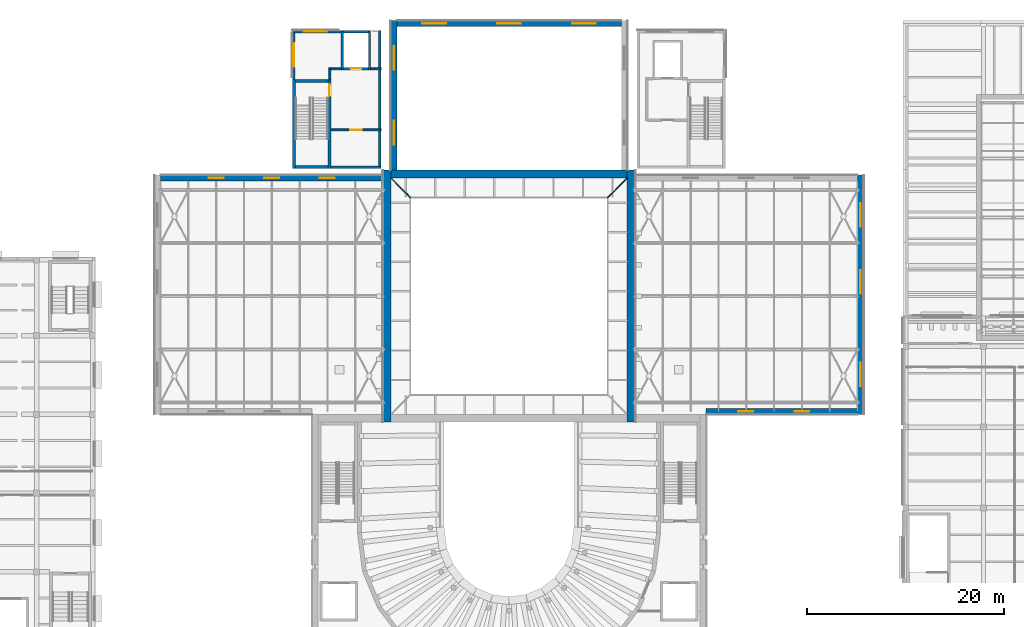
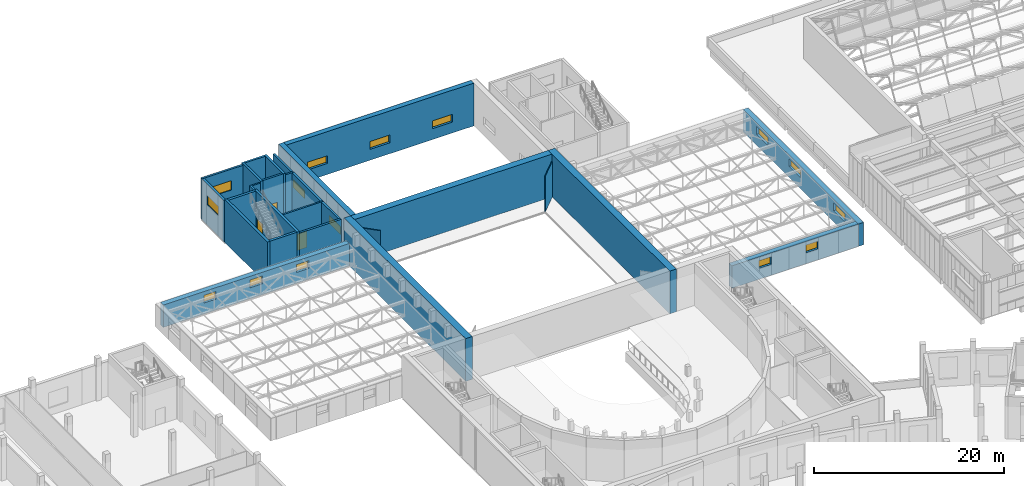
# One storey, part 77 of 132: 28 walls, 15 windows, 3 doors, 18 openings.
"""IFC4 building model written with IfcOpenShell, lengths in metres."""

from ifc_helpers import new_model, si_unit, direction, frame, frame_2d, origin, place, context, subcontext, project, spatial, rectangle, extrude, material, layer, layer_set, type_object, element, fill, save


model = new_model("IFC4")

# Units and contexts
model_context = context("Model", 3, precision=1e-05, world=origin(), true_north=direction((0.0, 1.0)))
body_context = subcontext(model_context, "Body", "Model", "MODEL_VIEW")
ifc_project = project(units=[si_unit("LENGTHUNIT", "METRE"), si_unit("AREAUNIT", "SQUARE_METRE"), si_unit("VOLUMEUNIT", "CUBIC_METRE"), si_unit("PLANEANGLEUNIT", "RADIAN"), si_unit("MASSUNIT", "GRAM", prefix="KILO")], contexts=[model_context])

# Site, building, storey
site_placement = place(None, origin())
site = spatial("IfcSite", under=ifc_project, at=site_placement, CompositionType="ELEMENT")
building_placement = place(site_placement, origin())
building = spatial("IfcBuilding", under=site, at=building_placement, Name="Lunette Opera House", CompositionType="ELEMENT")
storey_placement = place(building_placement, frame((0.0, 0.0, 17.0)))
storey = spatial("IfcBuildingStorey", under=building, at=storey_placement, Name="L03", CompositionType="ELEMENT", Elevation=17.0)

# Walls
ifc_material_1 = material(Name="Concrete C35/45", Category="concrete")
ifc_layer_1 = layer(ifc_material_1, 0.199951171875)
ifc_layer_set_1 = layer_set([ifc_layer_1], Name="Concrete C35/45")
wall_type_1 = type_object("IfcWallType", Name="LOBBY WALL 200", PredefinedType="PARTITIONING", material=ifc_layer_set_1)
for number, where, z_axis, x_axis, name in (
    (1, (83.0, 131.10009765625, 0.0), (0.0, 0.0, 1.0), (-1.0, 0.0, 0.0), "LL-SW lobby wall 2a"),
    (2, (78.929931640625, 131.10009765625, 0.0), (0.0, 0.0, 1.0), (-1.0, 0.0, 0.0), "LL-SW lobby wall 2b"),
):
    element("IfcWall", number, at=place(storey_placement, frame(where, z_axis=z_axis, x_axis=x_axis)), inside=storey, type_object=wall_type_1, Name=name, PredefinedType="PARTITIONING", context=body_context, shape_type="SweptSolid", body=[
        extrude(rectangle(XDim=1.030029296875, YDim=0.199951171875, at=frame_2d((0.51513671875, 0.0))), origin(), (0.0, 0.0, 1.0), 5.280029296875),
    ])
wall_1_placement = place(storey_placement, frame((77.800048828125, 131.199951171875, 0.0), z_axis=(0.0, 0.0, 1.0), x_axis=(0.0, -1.0, 0.0)))
element("IfcWall", 3, at=wall_1_placement, inside=storey, type_object=wall_type_1, Name="LL-SW lobby wall 3a", PredefinedType="PARTITIONING", context=body_context, shape_type="SweptSolid", body=[
    extrude(rectangle(XDim=1.2099609375, YDim=0.199951171875, at=frame_2d((0.60498046875, 0.0))), origin(), (0.0, 0.0, 1.0), 5.280029296875),
])

# Wall, opening, door
wall_2_placement = place(storey_placement, frame((77.919921875, 124.89990234375, 0.0), z_axis=(0.0, 0.0, 1.0), x_axis=(1.0, 0.0, 0.0)))
wall_2 = element("IfcWall", 4, at=wall_2_placement, inside=storey, type_object=wall_type_1, Name="LL-SW lobby wall 4a", PredefinedType="PARTITIONING", context=body_context, shape_type="SweptSolid", body=[
    extrude(rectangle(XDim=5.080078125, YDim=0.199951171875, at=frame_2d((2.5400390625, 0.0))), origin(), (0.0, 0.0, 1.0), 5.280029296875),
])
opening_1_placement = place(wall_2_placement, frame((1.93994140625, 0.0, 0.0)))
opening_1 = element("IfcOpeningElement", 5, at=opening_1_placement, cuts=wall_2, Name="Opening ST-D7037", PredefinedType="OPENING", context=body_context, shape_type="SweptSolid", body=[
    extrude(rectangle(XDim=1.199951171875, YDim=2.10009765625, at=frame_2d((0.60009765625, 1.050048828125))), frame((0.0, 0.112060546875, 0.0), z_axis=(0.0, -1.0, 0.0), x_axis=(1.0, 0.0, 0.0)), (0.0, 0.0, 1.0), 0.223876953125),
])
ifc_material_2 = material(Name="Steel", Category="steel")
door_type_1 = type_object("IfcDoorType", Name="FIRE DOOR 1200 X 2100", OperationType="SINGLE_SWING_LEFT", PredefinedType="DOOR", material=ifc_material_2)
door_1_placement = place(opening_1_placement, origin())
door_1 = element("IfcDoor", 6, at=door_1_placement, inside=storey, type_object=door_type_1, Name="LL-SW lobby door", OperationType="SINGLE_SWING_LEFT", OverallHeight=2.10009765625, OverallWidth=1.199951171875, PredefinedType="DOOR", context=body_context, shape_type="SweptSolid", body=[
    extrude(rectangle(XDim=1.199951171875, YDim=2.10009765625, at=frame_2d((0.60009765625, 1.050048828125))), frame((0.0, 0.02490234375, 0.0), z_axis=(0.0, -1.0, 0.0), x_axis=(1.0, 0.0, 0.0)), (0.0, 0.0, 1.0), 0.050048828125),
])
fill(opening_1, door_1)

# Walls
ifc_material_3 = material(Name="Concrete C35/45", Category="concrete")
ifc_layer_2 = layer(ifc_material_3, 0.25)
ifc_layer_set_2 = layer_set([ifc_layer_2], Name="Concrete C35/45")
wall_type_2 = type_object("IfcWallType", Name="RC LIFT SHAFT WALL 250", PredefinedType="SOLIDWALL", material=ifc_layer_set_2)
wall_3_placement = place(storey_placement, frame((81.824951171875, 131.0, 0.0), z_axis=(0.0, 0.0, 1.0), x_axis=(0.0, 1.0, 0.0)))
element("IfcWall", 7, at=wall_3_placement, inside=storey, type_object=wall_type_2, Name="LF7 shaft wall 1", PredefinedType="SOLIDWALL", context=body_context, shape_type="SweptSolid", body=[
    extrude(rectangle(XDim=4.0, YDim=0.25, at=frame_2d((2.0, 0.0))), origin(), (0.0, 0.0, 1.0), 5.5),
])
wall_4_placement = place(storey_placement, frame((81.699951171875, 134.875, 0.0), z_axis=(0.0, 0.0, 1.0), x_axis=(-1.0, 0.0, 0.0)))
element("IfcWall", 8, at=wall_4_placement, inside=storey, type_object=wall_type_2, Name="LF7 shaft wall 2", PredefinedType="SOLIDWALL", context=body_context, shape_type="SweptSolid", body=[
    extrude(rectangle(XDim=2.5, YDim=0.25, at=frame_2d((1.25, 0.0))), origin(), (0.0, 0.0, 1.0), 5.5),
])
wall_5_placement = place(storey_placement, frame((79.074951171875, 135.0, 0.0), z_axis=(0.0, 0.0, 1.0), x_axis=(0.0, -1.0, 0.0)))
element("IfcWall", 9, at=wall_5_placement, inside=storey, type_object=wall_type_2, Name="LF7 shaft wall 3", PredefinedType="SOLIDWALL", context=body_context, shape_type="SweptSolid", body=[
    extrude(rectangle(XDim=4.0, YDim=0.25, at=frame_2d((2.0, 0.0))), origin(), (0.0, 0.0, 1.0), 5.5),
])

# Wall, opening, door
wall_6_placement = place(storey_placement, frame((79.199951171875, 131.125, 0.0), z_axis=(0.0, 0.0, 1.0), x_axis=(1.0, 0.0, 0.0)))
wall_6 = element("IfcWall", 10, at=wall_6_placement, inside=storey, type_object=wall_type_2, Name="LF7 shaft wall 4", PredefinedType="SOLIDWALL", context=body_context, shape_type="SweptSolid", body=[
    extrude(rectangle(XDim=2.5, YDim=0.25, at=frame_2d((1.25, 0.0))), origin(), (0.0, 0.0, 1.0), 5.5),
])
opening_2_placement = place(wall_6_placement, frame((0.699951171875, 0.0, 0.0)))
opening_2 = element("IfcOpeningElement", 11, at=opening_2_placement, cuts=wall_6, Name="Opening ST-LD015", PredefinedType="OPENING", context=body_context, shape_type="SweptSolid", body=[
    extrude(rectangle(XDim=1.10009765625, YDim=2.10009765625, at=frame_2d((0.550048828125, 1.050048828125))), frame((0.0, 0.136962890625, 0.0), z_axis=(0.0, -1.0, 0.0), x_axis=(1.0, 0.0, 0.0)), (0.0, 0.0, 1.0), 0.27392578125),
])
ifc_material_4 = material(Name="Stainless steel", Category="steel")
door_type_2 = type_object("IfcDoorType", Name="LIFT LANDING DOOR 1100 X 2100", OperationType="DOUBLE_DOOR_SLIDING", PredefinedType="DOOR", material=ifc_material_4)
door_2_placement = place(opening_2_placement, origin())
door_2 = element("IfcDoor", 12, at=door_2_placement, inside=storey, type_object=door_type_2, Name="LF7 lift landing door", OperationType="DOUBLE_DOOR_SLIDING", OverallHeight=2.10009765625, OverallWidth=1.10009765625, PredefinedType="DOOR", context=body_context, shape_type="SweptSolid", body=[
    extrude(rectangle(XDim=1.10009765625, YDim=2.10009765625, at=frame_2d((0.550048828125, 1.050048828125))), frame((0.0, 0.02490234375, 0.0), z_axis=(0.0, -1.0, 0.0), x_axis=(1.0, 0.0, 0.0)), (0.0, 0.0, 1.0), 0.050048828125),
])
fill(opening_2, door_2)

ifc_material_5 = material(Name="Concrete C35/45", Category="concrete")
ifc_layer_3 = layer(ifc_material_5, 0.300048828125)
ifc_layer_set_3 = layer_set([ifc_layer_3], Name="Concrete C35/45")
wall_type_3 = type_object("IfcWallType", Name="RC STAIR ENCLOSURE WALL 300", PredefinedType="SOLIDWALL", material=ifc_layer_set_3)
wall_7_placement = place(storey_placement, frame((77.75, 121.0, 0.0), z_axis=(0.0, 0.0, 1.0), x_axis=(0.0, 1.0, 0.0)))
wall_7 = element("IfcWall", 13, at=wall_7_placement, inside=storey, type_object=wall_type_3, Name="ST11 enclosure wall 1", PredefinedType="SOLIDWALL", context=body_context, shape_type="SweptSolid", body=[
    extrude(rectangle(XDim=9.0, YDim=0.300048828125, at=frame_2d((4.5, 0.0))), origin(), (0.0, 0.0, 1.0), 5.5),
])
opening_3_placement = place(wall_7_placement, frame((7.324951171875, 0.0, 0.0)))
opening_3 = element("IfcOpeningElement", 14, at=opening_3_placement, cuts=wall_7, Name="Opening ST-D7006", PredefinedType="OPENING", context=body_context, shape_type="SweptSolid", body=[
    extrude(rectangle(XDim=1.199951171875, YDim=2.10009765625, at=frame_2d((0.60009765625, 1.050048828125))), frame((0.0, 0.162109375, 0.0), z_axis=(0.0, -1.0, 0.0), x_axis=(1.0, 0.0, 0.0)), (0.0, 0.0, 1.0), 0.323974609375),
])
door_3_placement = place(opening_3_placement, origin())
door_3 = element("IfcDoor", 15, at=door_3_placement, inside=storey, type_object=door_type_1, Name="ST11 stair door", OperationType="SINGLE_SWING_LEFT", OverallHeight=2.10009765625, OverallWidth=1.199951171875, PredefinedType="DOOR", context=body_context, shape_type="SweptSolid", body=[
    extrude(rectangle(XDim=1.199951171875, YDim=2.10009765625, at=frame_2d((0.60009765625, 1.050048828125))), frame((0.0, 0.02490234375, 0.0), z_axis=(0.0, -1.0, 0.0), x_axis=(1.0, 0.0, 0.0)), (0.0, 0.0, 1.0), 0.050048828125),
])
fill(opening_3, door_3)

# Walls
wall_8_placement = place(storey_placement, frame((77.60009765625, 129.85009765625, 0.0), z_axis=(0.0, 0.0, 1.0), x_axis=(-1.0, 0.0, 0.0)))
element("IfcWall", 16, at=wall_8_placement, inside=storey, type_object=wall_type_3, Name="ST11 enclosure wall 2", PredefinedType="SOLIDWALL", context=body_context, shape_type="SweptSolid", body=[
    extrude(rectangle(XDim=3.300048828125, YDim=0.300048828125, at=frame_2d((1.64990234375, 0.0))), origin(), (0.0, 0.0, 1.0), 5.5),
])
wall_9_placement = place(storey_placement, frame((74.14990234375, 130.0, 0.0), z_axis=(0.0, 0.0, 1.0), x_axis=(0.0, -1.0, 0.0)))
element("IfcWall", 17, at=wall_9_placement, inside=storey, type_object=wall_type_3, Name="ST11 enclosure wall 3", PredefinedType="SOLIDWALL", context=body_context, shape_type="SweptSolid", body=[
    extrude(rectangle(XDim=9.0, YDim=0.300048828125, at=frame_2d((4.5, 0.0))), origin(), (0.0, 0.0, 1.0), 5.5),
])
wall_10_placement = place(storey_placement, frame((74.300048828125, 121.14990234375, 0.0), z_axis=(0.0, 0.0, 1.0), x_axis=(1.0, 0.0, 0.0)))
element("IfcWall", 18, at=wall_10_placement, inside=storey, type_object=wall_type_3, Name="ST11 enclosure wall 4", PredefinedType="SOLIDWALL", context=body_context, shape_type="SweptSolid", body=[
    extrude(rectangle(XDim=3.300048828125, YDim=0.300048828125, at=frame_2d((1.64990234375, 0.0))), origin(), (0.0, 0.0, 1.0), 5.5),
])

# Wall, openings, windows
ifc_material_6 = material(Name="Concrete C35/45", Category="concrete")
ifc_layer_4 = layer(ifc_material_6, 0.60009765625)
ifc_layer_set_4 = layer_set([ifc_layer_4], Name="Concrete C35/45")
wall_type_4 = type_object("IfcWallType", Name="RC WALL 600", PredefinedType="SHEAR", material=ifc_layer_set_4)
wall_11_placement = place(storey_placement, frame((60.60009765625, 120.0, 0.0), z_axis=(0.0, 0.0, 1.0), x_axis=(1.0, 0.0, 0.0)))
wall_11 = element("IfcWall", 19, at=wall_11_placement, inside=storey, type_object=wall_type_4, Name="wall-ST-L03-SW-N-1", PredefinedType="SHEAR", context=body_context, shape_type="SweptSolid", body=[
    extrude(rectangle(XDim=22.599853515625, YDim=0.60009765625, at=frame_2d((11.2998046875, 0.0))), origin(), (0.0, 0.0, 1.0), 2.8798828125),
])
opening_4_placement = place(wall_11_placement, frame((4.9169921875, 0.0, 1.39990234375)))
opening_4 = element("IfcOpeningElement", 20, at=opening_4_placement, cuts=wall_11, Name="Opening ST-N2090", PredefinedType="OPENING", context=body_context, shape_type="SweptSolid", body=[
    extrude(rectangle(XDim=1.5, YDim=1.0, at=frame_2d((0.75, 0.5))), frame((0.0, 0.31201171875, 0.0), z_axis=(0.0, -1.0, 0.0), x_axis=(1.0, 0.0, 0.0)), (0.0, 0.0, 1.0), 0.6240234375),
])
opening_5_placement = place(wall_11_placement, frame((10.550048828125, 0.0, 1.39990234375)))
opening_5 = element("IfcOpeningElement", 21, at=opening_5_placement, cuts=wall_11, Name="Opening ST-N2091", PredefinedType="OPENING", context=body_context, shape_type="SweptSolid", body=[
    extrude(rectangle(XDim=1.5, YDim=1.0, at=frame_2d((0.75, 0.5))), frame((0.0, 0.31201171875, 0.0), z_axis=(0.0, -1.0, 0.0), x_axis=(1.0, 0.0, 0.0)), (0.0, 0.0, 1.0), 0.6240234375),
])
opening_6_placement = place(wall_11_placement, frame((16.18310546875, 0.0, 1.39990234375)))
opening_6 = element("IfcOpeningElement", 22, at=opening_6_placement, cuts=wall_11, Name="Opening ST-N2092", PredefinedType="OPENING", context=body_context, shape_type="SweptSolid", body=[
    extrude(rectangle(XDim=1.5, YDim=1.0, at=frame_2d((0.75, 0.5))), frame((0.0, 0.31201171875, 0.0), z_axis=(0.0, -1.0, 0.0), x_axis=(1.0, 0.0, 0.0)), (0.0, 0.0, 1.0), 0.6240234375),
])
ifc_material_7 = material(Name="Aluminium", Category="aluminium")
window_type_1 = type_object("IfcWindowType", Name="STAGE CLERESTORY WINDOW 1500 X 1000", PartitioningType="SINGLE_PANEL", PredefinedType="WINDOW", material=ifc_material_7)
window_1_placement = place(opening_4_placement, origin())
window_1 = element("IfcWindow", 23, at=window_1_placement, inside=storey, type_object=window_type_1, Name="Stage Clerestory Window 1500 X 1000 SW-N1 L03", OverallHeight=1.0, OverallWidth=1.5, PartitioningType="SINGLE_PANEL", PredefinedType="WINDOW", context=body_context, shape_type="SweptSolid", body=[
    extrude(rectangle(XDim=1.5, YDim=1.0, at=frame_2d((0.75, 0.5))), frame((0.0, 0.030029296875, 0.0), z_axis=(0.0, -1.0, 0.0), x_axis=(1.0, 0.0, 0.0)), (0.0, 0.0, 1.0), 0.06005859375),
])
fill(opening_4, window_1)
window_2_placement = place(opening_5_placement, origin())
window_2 = element("IfcWindow", 24, at=window_2_placement, inside=storey, type_object=window_type_1, Name="Stage Clerestory Window 1500 X 1000 SW-N2 L03", OverallHeight=1.0, OverallWidth=1.5, PartitioningType="SINGLE_PANEL", PredefinedType="WINDOW", context=body_context, shape_type="SweptSolid", body=[
    extrude(rectangle(XDim=1.5, YDim=1.0, at=frame_2d((0.75, 0.5))), frame((0.0, 0.030029296875, 0.0), z_axis=(0.0, -1.0, 0.0), x_axis=(1.0, 0.0, 0.0)), (0.0, 0.0, 1.0), 0.06005859375),
])
fill(opening_5, window_2)
window_3_placement = place(opening_6_placement, origin())
window_3 = element("IfcWindow", 25, at=window_3_placement, inside=storey, type_object=window_type_1, Name="Stage Clerestory Window 1500 X 1000 SW-N3 L03", OverallHeight=1.0, OverallWidth=1.5, PartitioningType="SINGLE_PANEL", PredefinedType="WINDOW", context=body_context, shape_type="SweptSolid", body=[
    extrude(rectangle(XDim=1.5, YDim=1.0, at=frame_2d((0.75, 0.5))), frame((0.0, 0.030029296875, 0.0), z_axis=(0.0, -1.0, 0.0), x_axis=(1.0, 0.0, 0.0)), (0.0, 0.0, 1.0), 0.06005859375),
])
fill(opening_6, window_3)

wall_12_placement = place(storey_placement, frame((131.699951171875, 96.0, 0.0), z_axis=(0.0, 0.0, 1.0), x_axis=(0.0, 1.0, 0.0)))
wall_12 = element("IfcWall", 26, at=wall_12_placement, inside=storey, type_object=wall_type_4, Name="wall-ST-L03-SE-E-1", PredefinedType="SHEAR", context=body_context, shape_type="SweptSolid", body=[
    extrude(rectangle(XDim=24.300048828125, YDim=0.60009765625, at=frame_2d((12.14990234375, 0.0))), origin(), (0.0, 0.0, 1.0), 2.8798828125),
])
opening_7_placement = place(wall_12_placement, frame((2.85009765625, 0.0, 1.39990234375)))
opening_7 = element("IfcOpeningElement", 27, at=opening_7_placement, cuts=wall_12, Name="Opening ST-N2100", PredefinedType="OPENING", context=body_context, shape_type="SweptSolid", body=[
    extrude(rectangle(XDim=2.39990234375, YDim=1.0, at=frame_2d((1.199951171875, 0.5))), frame((0.0, 0.31201171875, 0.0), z_axis=(0.0, -1.0, 0.0), x_axis=(1.0, 0.0, 0.0)), (0.0, 0.0, 1.0), 0.6240234375),
])
opening_8_placement = place(wall_12_placement, frame((12.25, 0.0, 1.39990234375)))
opening_8 = element("IfcOpeningElement", 28, at=opening_8_placement, cuts=wall_12, Name="Opening ST-N2101", PredefinedType="OPENING", context=body_context, shape_type="SweptSolid", body=[
    extrude(rectangle(XDim=2.39990234375, YDim=1.0, at=frame_2d((1.199951171875, 0.5))), frame((0.0, 0.31201171875, 0.0), z_axis=(0.0, -1.0, 0.0), x_axis=(1.0, 0.0, 0.0)), (0.0, 0.0, 1.0), 0.6240234375),
])
opening_9_placement = place(wall_12_placement, frame((19.050048828125, 0.0, 1.39990234375)))
opening_9 = element("IfcOpeningElement", 29, at=opening_9_placement, cuts=wall_12, Name="Opening ST-N2102", PredefinedType="OPENING", context=body_context, shape_type="SweptSolid", body=[
    extrude(rectangle(XDim=2.39990234375, YDim=1.0, at=frame_2d((1.199951171875, 0.5))), frame((0.0, 0.31201171875, 0.0), z_axis=(0.0, -1.0, 0.0), x_axis=(1.0, 0.0, 0.0)), (0.0, 0.0, 1.0), 0.6240234375),
])
ifc_material_8 = material(Name="Aluminium", Category="aluminium")
window_type_2 = type_object("IfcWindowType", Name="STAGE CLERESTORY WINDOW 2400 X 1000", PartitioningType="SINGLE_PANEL", PredefinedType="WINDOW", material=ifc_material_8)
window_4_placement = place(opening_7_placement, origin())
window_4 = element("IfcWindow", 30, at=window_4_placement, inside=storey, type_object=window_type_2, Name="Stage Clerestory Window 2400 X 1000 SE-E1 L03", OverallHeight=1.0, OverallWidth=2.39990234375, PartitioningType="SINGLE_PANEL", PredefinedType="WINDOW", context=body_context, shape_type="SweptSolid", body=[
    extrude(rectangle(XDim=2.39990234375, YDim=1.0, at=frame_2d((1.199951171875, 0.5))), frame((0.0, 0.030029296875, 0.0), z_axis=(0.0, -1.0, 0.0), x_axis=(1.0, 0.0, 0.0)), (0.0, 0.0, 1.0), 0.06005859375),
])
fill(opening_7, window_4)
window_5_placement = place(opening_8_placement, origin())
window_5 = element("IfcWindow", 31, at=window_5_placement, inside=storey, type_object=window_type_2, Name="Stage Clerestory Window 2400 X 1000 SE-E2 L03", OverallHeight=1.0, OverallWidth=2.39990234375, PartitioningType="SINGLE_PANEL", PredefinedType="WINDOW", context=body_context, shape_type="SweptSolid", body=[
    extrude(rectangle(XDim=2.39990234375, YDim=1.0, at=frame_2d((1.199951171875, 0.5))), frame((0.0, 0.030029296875, 0.0), z_axis=(0.0, -1.0, 0.0), x_axis=(1.0, 0.0, 0.0)), (0.0, 0.0, 1.0), 0.06005859375),
])
fill(opening_8, window_5)
window_6_placement = place(opening_9_placement, origin())
window_6 = element("IfcWindow", 32, at=window_6_placement, inside=storey, type_object=window_type_2, Name="Stage Clerestory Window 2400 X 1000 SE-E3 L03", OverallHeight=1.0, OverallWidth=2.39990234375, PartitioningType="SINGLE_PANEL", PredefinedType="WINDOW", context=body_context, shape_type="SweptSolid", body=[
    extrude(rectangle(XDim=2.39990234375, YDim=1.0, at=frame_2d((1.199951171875, 0.5))), frame((0.0, 0.030029296875, 0.0), z_axis=(0.0, -1.0, 0.0), x_axis=(1.0, 0.0, 0.0)), (0.0, 0.0, 1.0), 0.06005859375),
])
fill(opening_9, window_6)

wall_13_placement = place(storey_placement, frame((116.010009765625, 96.300048828125, 0.0), z_axis=(0.0, 0.0, 1.0), x_axis=(1.0, 0.0, 0.0)))
wall_13 = element("IfcWall", 33, at=wall_13_placement, inside=storey, type_object=wall_type_4, Name="wall-ST-L03-SE-S-1", PredefinedType="SHEAR", context=body_context, shape_type="SweptSolid", body=[
    extrude(rectangle(XDim=15.389892578125, YDim=0.60009765625, at=frame_2d((7.69482421875, 0.0))), origin(), (0.0, 0.0, 1.0), 2.8798828125),
])
opening_10_placement = place(wall_13_placement, frame((3.298095703125, 0.0, 1.39990234375)))
opening_10 = element("IfcOpeningElement", 34, at=opening_10_placement, cuts=wall_13, Name="Opening ST-N2111", PredefinedType="OPENING", context=body_context, shape_type="SweptSolid", body=[
    extrude(rectangle(XDim=1.5, YDim=1.0, at=frame_2d((0.75, 0.5))), frame((0.0, 0.31201171875, 0.0), z_axis=(0.0, -1.0, 0.0), x_axis=(1.0, 0.0, 0.0)), (0.0, 0.0, 1.0), 0.6240234375),
])
opening_11_placement = place(wall_13_placement, frame((8.991943359375, 0.0, 1.39990234375)))
opening_11 = element("IfcOpeningElement", 35, at=opening_11_placement, cuts=wall_13, Name="Opening ST-N2112", PredefinedType="OPENING", context=body_context, shape_type="SweptSolid", body=[
    extrude(rectangle(XDim=1.5, YDim=1.0, at=frame_2d((0.75, 0.5))), frame((0.0, 0.31201171875, 0.0), z_axis=(0.0, -1.0, 0.0), x_axis=(1.0, 0.0, 0.0)), (0.0, 0.0, 1.0), 0.6240234375),
])
window_7_placement = place(opening_10_placement, origin())
window_7 = element("IfcWindow", 36, at=window_7_placement, inside=storey, type_object=window_type_1, Name="Stage Clerestory Window 1500 X 1000 SE-S1 L03", OverallHeight=1.0, OverallWidth=1.5, PartitioningType="SINGLE_PANEL", PredefinedType="WINDOW", context=body_context, shape_type="SweptSolid", body=[
    extrude(rectangle(XDim=1.5, YDim=1.0, at=frame_2d((0.75, 0.5))), frame((0.0, 0.030029296875, 0.0), z_axis=(0.0, -1.0, 0.0), x_axis=(1.0, 0.0, 0.0)), (0.0, 0.0, 1.0), 0.06005859375),
])
fill(opening_10, window_7)
window_8_placement = place(opening_11_placement, origin())
window_8 = element("IfcWindow", 37, at=window_8_placement, inside=storey, type_object=window_type_1, Name="Stage Clerestory Window 1500 X 1000 SE-S2 L03", OverallHeight=1.0, OverallWidth=1.5, PartitioningType="SINGLE_PANEL", PredefinedType="WINDOW", context=body_context, shape_type="SweptSolid", body=[
    extrude(rectangle(XDim=1.5, YDim=1.0, at=frame_2d((0.75, 0.5))), frame((0.0, 0.030029296875, 0.0), z_axis=(0.0, -1.0, 0.0), x_axis=(1.0, 0.0, 0.0)), (0.0, 0.0, 1.0), 0.06005859375),
])
fill(opening_11, window_8)

wall_14_placement = place(storey_placement, frame((84.300048828125, 120.800048828125, 0.0), z_axis=(0.0, 0.0, 1.0), x_axis=(0.0, 1.0, 0.0)))
wall_14 = element("IfcWall", 38, at=wall_14_placement, inside=storey, type_object=wall_type_4, Name="wall-ST-L03-SR-W-1", PredefinedType="SHEAR", context=body_context, shape_type="SweptSolid", body=[
    extrude(rectangle(XDim=15.199951171875, YDim=0.60009765625, at=frame_2d((7.60009765625, 0.0))), origin(), (0.0, 0.0, 1.0), 5.5),
])
opening_12_placement = place(wall_14_placement, frame((2.60009765625, 0.0, 1.39990234375)))
opening_12 = element("IfcOpeningElement", 39, at=opening_12_placement, cuts=wall_14, Name="Opening ST-N2115", PredefinedType="OPENING", context=body_context, shape_type="SweptSolid", body=[
    extrude(rectangle(XDim=2.39990234375, YDim=1.0, at=frame_2d((1.199951171875, 0.5))), frame((0.0, 0.31201171875, 0.0), z_axis=(0.0, -1.0, 0.0), x_axis=(1.0, 0.0, 0.0)), (0.0, 0.0, 1.0), 0.6240234375),
])
opening_13_placement = place(wall_14_placement, frame((10.199951171875, 0.0, 1.39990234375)))
opening_13 = element("IfcOpeningElement", 40, at=opening_13_placement, cuts=wall_14, Name="Opening ST-N2116", PredefinedType="OPENING", context=body_context, shape_type="SweptSolid", body=[
    extrude(rectangle(XDim=2.39990234375, YDim=1.0, at=frame_2d((1.199951171875, 0.5))), frame((0.0, 0.31201171875, 0.0), z_axis=(0.0, -1.0, 0.0), x_axis=(1.0, 0.0, 0.0)), (0.0, 0.0, 1.0), 0.6240234375),
])
window_9_placement = place(opening_12_placement, origin())
window_9 = element("IfcWindow", 41, at=window_9_placement, inside=storey, type_object=window_type_2, Name="Stage Clerestory Window 2400 X 1000 SR-W1 L03", OverallHeight=1.0, OverallWidth=2.39990234375, PartitioningType="SINGLE_PANEL", PredefinedType="WINDOW", context=body_context, shape_type="SweptSolid", body=[
    extrude(rectangle(XDim=2.39990234375, YDim=1.0, at=frame_2d((1.199951171875, 0.5))), frame((0.0, 0.030029296875, 0.0), z_axis=(0.0, -1.0, 0.0), x_axis=(1.0, 0.0, 0.0)), (0.0, 0.0, 1.0), 0.06005859375),
])
fill(opening_12, window_9)
window_10_placement = place(opening_13_placement, origin())
window_10 = element("IfcWindow", 42, at=window_10_placement, inside=storey, type_object=window_type_2, Name="Stage Clerestory Window 2400 X 1000 SR-W2 L03", OverallHeight=1.0, OverallWidth=2.39990234375, PartitioningType="SINGLE_PANEL", PredefinedType="WINDOW", context=body_context, shape_type="SweptSolid", body=[
    extrude(rectangle(XDim=2.39990234375, YDim=1.0, at=frame_2d((1.199951171875, 0.5))), frame((0.0, 0.030029296875, 0.0), z_axis=(0.0, -1.0, 0.0), x_axis=(1.0, 0.0, 0.0)), (0.0, 0.0, 1.0), 0.06005859375),
])
fill(opening_13, window_10)

wall_15_placement = place(storey_placement, frame((84.60009765625, 135.699951171875, 0.0), z_axis=(0.0, 0.0, 1.0), x_axis=(1.0, 0.0, 0.0)))
wall_15 = element("IfcWall", 43, at=wall_15_placement, inside=storey, type_object=wall_type_4, Name="wall-ST-L03-SR-N-1", PredefinedType="SHEAR", context=body_context, shape_type="SweptSolid", body=[
    extrude(rectangle(XDim=22.7998046875, YDim=0.60009765625, at=frame_2d((11.39990234375, 0.0))), origin(), (0.0, 0.0, 1.0), 5.5),
])
opening_14_placement = place(wall_15_placement, frame((2.60009765625, 0.0, 1.39990234375)))
opening_14 = element("IfcOpeningElement", 44, at=opening_14_placement, cuts=wall_15, Name="Opening ST-N2124", PredefinedType="OPENING", context=body_context, shape_type="SweptSolid", body=[
    extrude(rectangle(XDim=2.39990234375, YDim=1.0, at=frame_2d((1.199951171875, 0.5))), frame((0.0, 0.31201171875, 0.0), z_axis=(0.0, -1.0, 0.0), x_axis=(1.0, 0.0, 0.0)), (0.0, 0.0, 1.0), 0.6240234375),
])
opening_15_placement = place(wall_15_placement, frame((10.199951171875, 0.0, 1.39990234375)))
opening_15 = element("IfcOpeningElement", 45, at=opening_15_placement, cuts=wall_15, Name="Opening ST-N2125", PredefinedType="OPENING", context=body_context, shape_type="SweptSolid", body=[
    extrude(rectangle(XDim=2.39990234375, YDim=1.0, at=frame_2d((1.199951171875, 0.5))), frame((0.0, 0.31201171875, 0.0), z_axis=(0.0, -1.0, 0.0), x_axis=(1.0, 0.0, 0.0)), (0.0, 0.0, 1.0), 0.6240234375),
])
opening_16_placement = place(wall_15_placement, frame((17.800048828125, 0.0, 1.39990234375)))
opening_16 = element("IfcOpeningElement", 46, at=opening_16_placement, cuts=wall_15, Name="Opening ST-N2126", PredefinedType="OPENING", context=body_context, shape_type="SweptSolid", body=[
    extrude(rectangle(XDim=2.39990234375, YDim=1.0, at=frame_2d((1.199951171875, 0.5))), frame((0.0, 0.31201171875, 0.0), z_axis=(0.0, -1.0, 0.0), x_axis=(1.0, 0.0, 0.0)), (0.0, 0.0, 1.0), 0.6240234375),
])
window_11_placement = place(opening_14_placement, origin())
window_11 = element("IfcWindow", 47, at=window_11_placement, inside=storey, type_object=window_type_2, Name="Stage Clerestory Window 2400 X 1000 SR-N1 L03", OverallHeight=1.0, OverallWidth=2.39990234375, PartitioningType="SINGLE_PANEL", PredefinedType="WINDOW", context=body_context, shape_type="SweptSolid", body=[
    extrude(rectangle(XDim=2.39990234375, YDim=1.0, at=frame_2d((1.199951171875, 0.5))), frame((0.0, 0.030029296875, 0.0), z_axis=(0.0, -1.0, 0.0), x_axis=(1.0, 0.0, 0.0)), (0.0, 0.0, 1.0), 0.06005859375),
])
fill(opening_14, window_11)
window_12_placement = place(opening_15_placement, origin())
window_12 = element("IfcWindow", 48, at=window_12_placement, inside=storey, type_object=window_type_2, Name="Stage Clerestory Window 2400 X 1000 SR-N2 L03", OverallHeight=1.0, OverallWidth=2.39990234375, PartitioningType="SINGLE_PANEL", PredefinedType="WINDOW", context=body_context, shape_type="SweptSolid", body=[
    extrude(rectangle(XDim=2.39990234375, YDim=1.0, at=frame_2d((1.199951171875, 0.5))), frame((0.0, 0.030029296875, 0.0), z_axis=(0.0, -1.0, 0.0), x_axis=(1.0, 0.0, 0.0)), (0.0, 0.0, 1.0), 0.06005859375),
])
fill(opening_15, window_12)
window_13_placement = place(opening_16_placement, origin())
window_13 = element("IfcWindow", 49, at=window_13_placement, inside=storey, type_object=window_type_2, Name="Stage Clerestory Window 2400 X 1000 SR-N3 L03", OverallHeight=1.0, OverallWidth=2.39990234375, PartitioningType="SINGLE_PANEL", PredefinedType="WINDOW", context=body_context, shape_type="SweptSolid", body=[
    extrude(rectangle(XDim=2.39990234375, YDim=1.0, at=frame_2d((1.199951171875, 0.5))), frame((0.0, 0.030029296875, 0.0), z_axis=(0.0, -1.0, 0.0), x_axis=(1.0, 0.0, 0.0)), (0.0, 0.0, 1.0), 0.06005859375),
])
fill(opening_16, window_13)

# Walls
ifc_material_9 = material(Name="Concrete C40/50", Category="concrete")
ifc_layer_5 = layer(ifc_material_9, 0.800048828125)
ifc_layer_set_5 = layer_set([ifc_layer_5], Name="Concrete C40/50")
wall_type_5 = type_object("IfcWallType", Name="RC WALL 800", PredefinedType="SHEAR", material=ifc_layer_set_5)
for number, where, z_axis, x_axis, name in (
    (50, (83.60009765625, 95.199951171875, 0.0), (0.0, 0.0, 1.0), (0.0, 1.0, 0.0), "wall-ST-L03-WW-1"),
    (51, (108.39990234375, 95.199951171875, 0.0), (0.0, 0.0, 1.0), (0.0, 1.0, 0.0), "wall-ST-L03-WE-1"),
):
    element("IfcWall", number, at=place(storey_placement, frame(where, z_axis=z_axis, x_axis=x_axis)), inside=storey, type_object=wall_type_5, Name=name, PredefinedType="SHEAR", context=body_context, shape_type="SweptSolid", body=[
        extrude(rectangle(XDim=25.60009765625, YDim=0.800048828125, at=frame_2d((12.800048828125, 0.0))), origin(), (0.0, 0.0, 1.0), 5.5),
    ])
wall_16_placement = place(storey_placement, frame((84.0, 120.39990234375, 0.0), z_axis=(0.0, 0.0, 1.0), x_axis=(1.0, 0.0, 0.0)))
element("IfcWall", 52, at=wall_16_placement, inside=storey, type_object=wall_type_5, Name="wall-ST-L03-WN-1", PredefinedType="SHEAR", context=body_context, shape_type="SweptSolid", body=[
    extrude(rectangle(XDim=24.0, YDim=0.800048828125, at=frame_2d((12.0, 0.0))), origin(), (0.0, 0.0, 1.0), 5.5),
])

# Wall, opening, window
ifc_material_10 = material(Name="Insulated aluminium sandwich panel", Category="aluminium")
ifc_layer_6 = layer(ifc_material_10, 0.25)
ifc_layer_set_6 = layer_set([ifc_layer_6], Name="Insulated aluminium sandwich panel")
wall_type_6 = type_object("IfcWallType", Name="STAGE TOWER WALL 250", PredefinedType="SOLIDWALL", material=ifc_layer_set_6)
wall_17_placement = place(storey_placement, frame((78.947998046875, 134.875, 0.0), z_axis=(0.0, 0.0, 1.0), x_axis=(-1.0, 0.0, 0.0)))
wall_17 = element("IfcWall", 53, at=wall_17_placement, inside=storey, type_object=wall_type_6, Name="Stage Tower Wall 250 TW-021 L03", PredefinedType="SOLIDWALL", context=body_context, shape_type="SweptSolid", body=[
    extrude(rectangle(XDim=4.947998046875, YDim=0.25, at=frame_2d((2.47412109375, 0.0))), origin(), (0.0, 0.0, 1.0), 5.280029296875),
])
opening_17_placement = place(wall_17_placement, frame((1.39599609375, 0.0, 2.60009765625)))
opening_17 = element("IfcOpeningElement", 54, at=opening_17_placement, cuts=wall_17, Name="Opening ST-N2137", PredefinedType="OPENING", context=body_context, shape_type="SweptSolid", body=[
    extrude(rectangle(XDim=2.39990234375, YDim=1.199951171875, at=frame_2d((1.199951171875, 0.60009765625))), frame((0.0, 0.136962890625, 0.0), z_axis=(0.0, -1.0, 0.0), x_axis=(1.0, 0.0, 0.0)), (0.0, 0.0, 1.0), 0.27392578125),
])
ifc_material_11 = material(Name="Aluminium", Category="aluminium")
window_type_3 = type_object("IfcWindowType", Name="TOWER RIBBON WINDOW 2400 X 1200", PartitioningType="SINGLE_PANEL", PredefinedType="WINDOW", material=ifc_material_11)
window_14_placement = place(opening_17_placement, origin())
window_14 = element("IfcWindow", 55, at=window_14_placement, inside=storey, type_object=window_type_3, Name="Tower Ribbon Window 2400 X 1200 TTW21-1 L03", OverallHeight=1.199951171875, OverallWidth=2.39990234375, PartitioningType="SINGLE_PANEL", PredefinedType="WINDOW", context=body_context, shape_type="SweptSolid", body=[
    extrude(rectangle(XDim=2.39990234375, YDim=1.199951171875, at=frame_2d((1.199951171875, 0.60009765625))), frame((0.0, 0.030029296875, 0.0), z_axis=(0.0, -1.0, 0.0), x_axis=(1.0, 0.0, 0.0)), (0.0, 0.0, 1.0), 0.06005859375),
])
fill(opening_17, window_14)

wall_18_placement = place(storey_placement, frame((74.125, 134.75, 0.0), z_axis=(0.0, 0.0, 1.0), x_axis=(0.0, -1.0, 0.0)))
wall_18 = element("IfcWall", 56, at=wall_18_placement, inside=storey, type_object=wall_type_6, Name="Stage Tower Wall 250 TW-022 L03", PredefinedType="SOLIDWALL", context=body_context, shape_type="SweptSolid", body=[
    extrude(rectangle(XDim=4.7548828125, YDim=0.25, at=frame_2d((2.37744140625, 0.0))), origin(), (0.0, 0.0, 1.0), 5.280029296875),
])
opening_18_placement = place(wall_18_placement, frame((1.050048828125, 0.0, 2.60009765625)))
opening_18 = element("IfcOpeningElement", 57, at=opening_18_placement, cuts=wall_18, Name="Opening ST-N2138", PredefinedType="OPENING", context=body_context, shape_type="SweptSolid", body=[
    extrude(rectangle(XDim=2.39990234375, YDim=1.199951171875, at=frame_2d((1.199951171875, 0.60009765625))), frame((0.0, 0.136962890625, 0.0), z_axis=(0.0, -1.0, 0.0), x_axis=(1.0, 0.0, 0.0)), (0.0, 0.0, 1.0), 0.27392578125),
])
window_15_placement = place(opening_18_placement, origin())
window_15 = element("IfcWindow", 58, at=window_15_placement, inside=storey, type_object=window_type_3, Name="Tower Ribbon Window 2400 X 1200 TTW22-1 L03", OverallHeight=1.199951171875, OverallWidth=2.39990234375, PartitioningType="SINGLE_PANEL", PredefinedType="WINDOW", context=body_context, shape_type="SweptSolid", body=[
    extrude(rectangle(XDim=2.39990234375, YDim=1.199951171875, at=frame_2d((1.199951171875, 0.60009765625))), frame((0.0, 0.030029296875, 0.0), z_axis=(0.0, -1.0, 0.0), x_axis=(1.0, 0.0, 0.0)), (0.0, 0.0, 1.0), 0.06005859375),
])
fill(opening_18, window_15)

# Walls
wall_19_placement = place(storey_placement, frame((77.89794921875, 121.125, 0.0), z_axis=(0.0, 0.0, 1.0), x_axis=(1.0, 0.0, 0.0)))
element("IfcWall", 59, at=wall_19_placement, inside=storey, type_object=wall_type_6, Name="Stage Tower Wall 250 TW-023 L03", PredefinedType="SOLIDWALL", context=body_context, shape_type="SweptSolid", body=[
    extrude(rectangle(XDim=5.10205078125, YDim=0.25, at=frame_2d((2.551025390625, 0.0))), origin(), (0.0, 0.0, 1.0), 5.280029296875),
])
wall_20_placement = place(storey_placement, frame((82.875, 121.25, 0.0), z_axis=(0.0, 0.0, 1.0), x_axis=(0.0, 1.0, 0.0)))
element("IfcWall", 60, at=wall_20_placement, inside=storey, type_object=wall_type_6, Name="Stage Tower Wall 250 TW-024 L03", PredefinedType="SOLIDWALL", context=body_context, shape_type="SweptSolid", body=[
    extrude(rectangle(XDim=3.554931640625, YDim=0.25, at=frame_2d((1.77734375, 0.0))), origin(), (0.0, 0.0, 1.0), 5.280029296875),
])
wall_21_placement = place(storey_placement, frame((82.875, 124.9951171875, 0.0), z_axis=(0.0, 0.0, 1.0), x_axis=(0.0, 1.0, 0.0)))
element("IfcWall", 61, at=wall_21_placement, inside=storey, type_object=wall_type_6, Name="Stage Tower Wall 250 TW-025 L03", PredefinedType="SOLIDWALL", context=body_context, shape_type="SweptSolid", body=[
    extrude(rectangle(XDim=6.009765625, YDim=0.25, at=frame_2d((3.0048828125, 0.0))), origin(), (0.0, 0.0, 1.0), 5.280029296875),
])
wall_22_placement = place(storey_placement, frame((82.875, 131.195068359375, 0.0), z_axis=(0.0, 0.0, 1.0), x_axis=(0.0, 1.0, 0.0)))
element("IfcWall", 62, at=wall_22_placement, inside=storey, type_object=wall_type_6, Name="Stage Tower Wall 250 TW-026 L03", PredefinedType="SOLIDWALL", context=body_context, shape_type="SweptSolid", body=[
    extrude(rectangle(XDim=3.804931640625, YDim=0.25, at=frame_2d((1.90234375, 0.0))), origin(), (0.0, 0.0, 1.0), 5.280029296875),
])
ifc_material_12 = material(Name="Gypsum board on steel studs", Category="steel")
ifc_layer_7 = layer(ifc_material_12, 0.10009765625)
ifc_layer_set_7 = layer_set([ifc_layer_7], Name="Gypsum board on steel studs")
wall_type_7 = type_object("IfcWallType", Name="STUD PARTITION 100", PredefinedType="PARTITIONING", material=ifc_layer_set_7)
for number, where, z_axis, x_axis, name in (
    (63, (84.0009765625, 119.9990234375, 0.0), (0.0, 0.0, 1.0), (0.707106781187, -0.707106781187, 0.0), "Partition Fly Gallery 17 North"),
    (64, (106.0, 118.0, 0.0), (0.0, 0.0, 1.0), (0.707106781187, 0.707106781187, 0.0), "Partition Fly Gallery 17 North"),
):
    element("IfcWall", number, at=place(storey_placement, frame(where, z_axis=z_axis, x_axis=x_axis)), inside=storey, type_object=wall_type_7, Name=name, PredefinedType="PARTITIONING", context=body_context, shape_type="SweptSolid", body=[
        extrude(rectangle(XDim=2.8271484375, YDim=0.10009765625, at=frame_2d((1.41357421875, 0.0))), origin(), (0.0, 0.0, 1.0), 4.60009765625),
    ])

save(model, "model.ifc")
